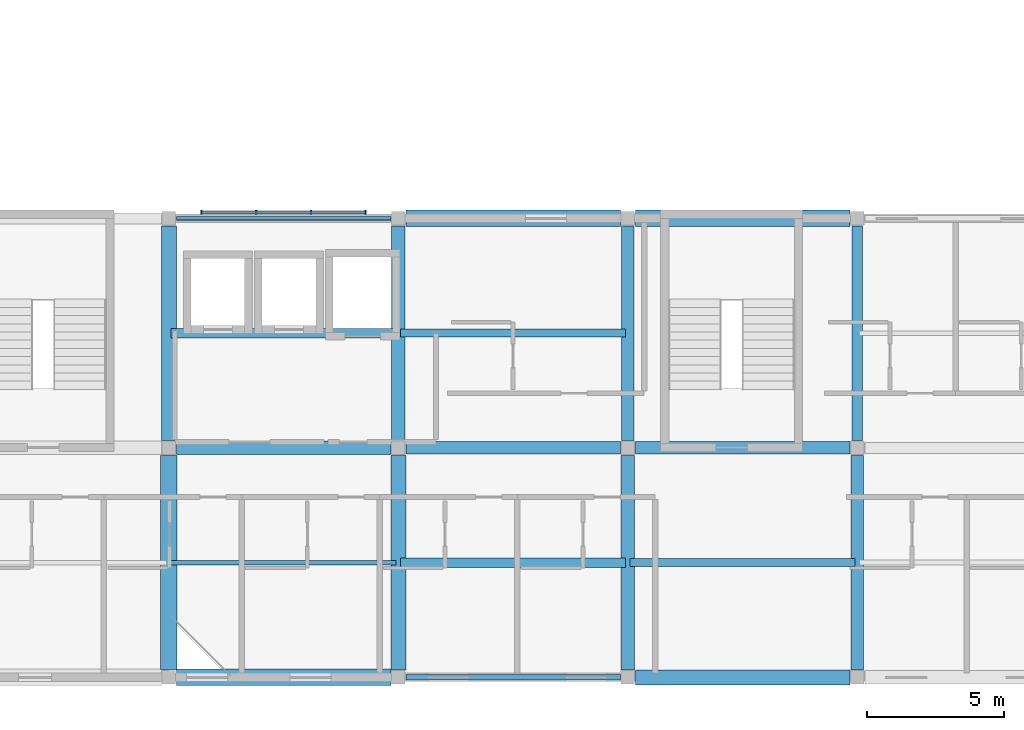
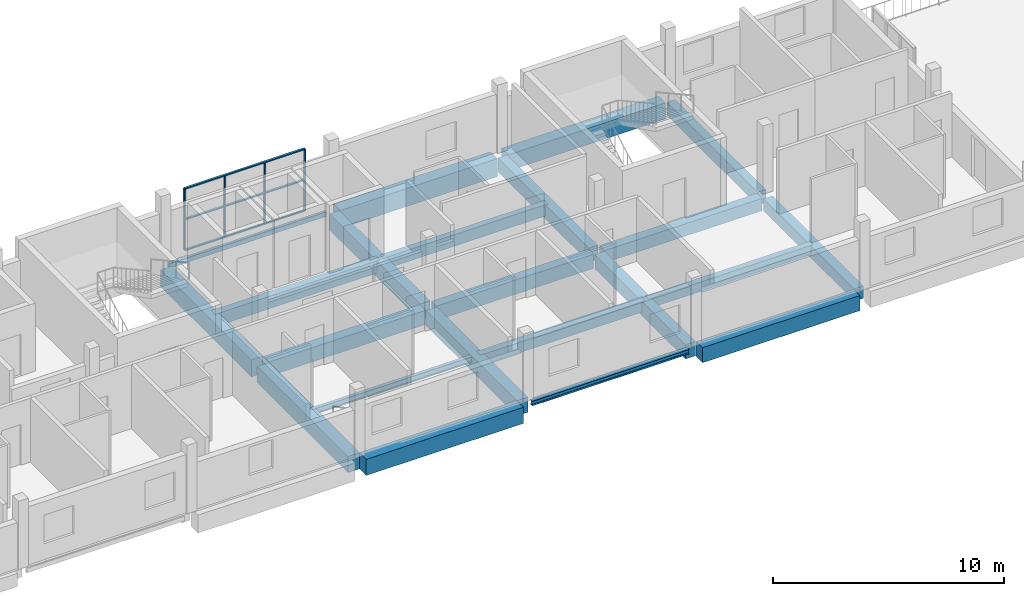
# One storey, part 5 of 20: 22 beams, 7 members, 1 element without a shape of its own.
"""IFC4 building model written with IfcOpenShell, lengths in metres."""

from ifc_helpers import new_model, si_unit, derived_unit, direction, frame, origin, origin_2d, place, context, subcontext, project, spatial, rectangle, hollow_rectangle, i_section, extrude, material, material_profile, profile_set, type_object, element, aggregate, save


model = new_model("IFC4")

# Units and contexts
model_context = context("Model", 3, precision=1e-05, world=origin(), true_north=direction((0.0, 1.0)))
body_context = subcontext(model_context, "Body", "Model", "MODEL_VIEW")
ifc_project = project(units=[si_unit("LENGTHUNIT", "METRE"), si_unit("AREAUNIT", "SQUARE_METRE"), si_unit("VOLUMEUNIT", "CUBIC_METRE"), si_unit("PLANEANGLEUNIT", "RADIAN"), si_unit("MASSUNIT", "GRAM", prefix="KILO"), derived_unit("THERMALTRANSMITTANCEUNIT", [(si_unit("POWERUNIT", "WATT"), 1), (si_unit("LENGTHUNIT", "METRE"), -2), (si_unit("THERMODYNAMICTEMPERATUREUNIT", "KELVIN"), -1)])], contexts=[model_context])

# Site, building, storey
site_placement = place(None, origin())
site = spatial("IfcSite", under=ifc_project, at=site_placement, CompositionType="ELEMENT")
building_placement = place(site_placement, origin())
building = spatial("IfcBuilding", under=site, at=building_placement, Name="Barrovel Congress Hotel", CompositionType="ELEMENT")
storey_placement = place(building_placement, frame((0.0, 0.0, 39.89990234375)))
storey = spatial("IfcBuildingStorey", under=building, at=storey_placement, Name="L10", CompositionType="ELEMENT", Elevation=39.89990234375)

# Beams
ifc_material_1 = material(Name="Concrete C40", Category="concrete")
ifc_material_profile_1 = material_profile(ifc_material_1, rectangle(XDim=0.300048828125, YDim=0.5, at=origin_2d()), Name="RC300x500")
ifc_profile_set_1 = profile_set([ifc_material_profile_1], Name="Concrete C40")
beam_type_1 = type_object("IfcBeamType", Name="BM-RC300x500", PredefinedType="JOIST", material=ifc_profile_set_1)
beam_1_placement = place(storey_placement, frame((100.8798828125, 8.39990234375, -0.469970703125), z_axis=(1.0, 0.0, 0.0), x_axis=(0.0, 1.0, 0.0)))
element("IfcBeam", 1, at=beam_1_placement, inside=storey, type_object=beam_type_1, Name="JST:L10:100.8:8.4", PredefinedType="JOIST", context=body_context, shape_type="SweptSolid", body=[
    extrude(rectangle(XDim=0.300048828125, YDim=0.5, at=origin_2d()), origin(), (0.0, 0.0, 1.0), 8.240234375),
])
ifc_material_profile_2 = material_profile(ifc_material_1, rectangle(XDim=0.300048828125, YDim=0.60009765625, at=origin_2d()), Name="RC300x600")
ifc_profile_set_2 = profile_set([ifc_material_profile_2], Name="Concrete C40")
beam_type_2 = type_object("IfcBeamType", Name="BM-RC300x600", PredefinedType="JOIST", material=ifc_profile_set_2)
beam_2_placement = place(storey_placement, frame((92.47998046875, 16.800048828125, -0.52001953125), z_axis=(1.0, 0.0, 0.0), x_axis=(0.0, 1.0, 0.0)))
element("IfcBeam", 2, at=beam_2_placement, inside=storey, type_object=beam_type_2, Name="JST:L10:92.4:16.8", PredefinedType="JOIST", context=body_context, shape_type="SweptSolid", body=[
    extrude(rectangle(XDim=0.300048828125, YDim=0.60009765625, at=origin_2d()), origin(), (0.0, 0.0, 1.0), 8.239990234375),
])
ifc_material_profile_3 = material_profile(ifc_material_1, rectangle(XDim=0.35009765625, YDim=0.550048828125, at=origin_2d()), Name="RC350x550")
ifc_profile_set_3 = profile_set([ifc_material_profile_3], Name="Concrete C40")
beam_type_3 = type_object("IfcBeamType", Name="BM-RC350x550", PredefinedType="JOIST", material=ifc_profile_set_3)
beam_3_placement = place(storey_placement, frame((92.47998046875, 8.39990234375, -0.494873046875), z_axis=(1.0, 0.0, 0.0), x_axis=(0.0, 1.0, 0.0)))
element("IfcBeam", 3, at=beam_3_placement, inside=storey, type_object=beam_type_3, Name="JST:L10:92.4:8.4", PredefinedType="JOIST", context=body_context, shape_type="SweptSolid", body=[
    extrude(rectangle(XDim=0.35009765625, YDim=0.550048828125, at=origin_2d()), origin(), (0.0, 0.0, 1.0), 8.239990234375),
])
ifc_material_profile_4 = material_profile(ifc_material_1, rectangle(XDim=0.35009765625, YDim=0.64990234375, at=origin_2d()), Name="RC350x650")
ifc_profile_set_4 = profile_set([ifc_material_profile_4], Name="Concrete C40")
beam_type_4 = type_object("IfcBeamType", Name="BM-RC350x650", PredefinedType="JOIST", material=ifc_profile_set_4)
beam_4_placement = place(storey_placement, frame((84.080078125, 16.800048828125, -0.544921875), z_axis=(1.0, 0.0, 0.0), x_axis=(0.0, 1.0, 0.0)))
element("IfcBeam", 4, at=beam_4_placement, inside=storey, type_object=beam_type_4, Name="JST:L10:84.0:16.8", PredefinedType="JOIST", context=body_context, shape_type="SweptSolid", body=[
    extrude(rectangle(XDim=0.35009765625, YDim=0.64990234375, at=origin_2d()), origin(), (0.0, 0.0, 1.0), 8.239990234375),
])
ifc_material_profile_5 = material_profile(ifc_material_1, rectangle(XDim=0.39990234375, YDim=0.699951171875, at=origin_2d()), Name="RC400x700")
ifc_profile_set_5 = profile_set([ifc_material_profile_5], Name="Concrete C40")
beam_type_5 = type_object("IfcBeamType", Name="BM-RC400x700", PredefinedType="BEAM", material=ifc_profile_set_5)
beam_5_placement = place(storey_placement, frame((109.199951171875, 12.875, -0.56982421875), z_axis=(0.0, 1.0, 0.0), x_axis=(-1.0, 0.0, 0.0)))
element("IfcBeam", 5, at=beam_5_placement, inside=storey, type_object=beam_type_5, Name="BMY:L10:109.2:12.6-21.0", PredefinedType="BEAM", context=body_context, shape_type="SweptSolid", body=[
    extrude(rectangle(XDim=0.39990234375, YDim=0.699951171875, at=origin_2d()), origin(), (0.0, 0.0, 1.0), 7.85009765625),
])
ifc_material_profile_6 = material_profile(ifc_material_1, rectangle(XDim=0.449951171875, YDim=0.64990234375, at=origin_2d()), Name="RC450x650")
ifc_profile_set_6 = profile_set([ifc_material_profile_6], Name="Concrete C40")
beam_type_6 = type_object("IfcBeamType", Name="BM-RC450x650", PredefinedType="BEAM", material=ifc_profile_set_6)
beam_6_placement = place(storey_placement, frame((101.074951171875, 12.60009765625, -0.544921875), z_axis=(1.0, 0.0, 0.0), x_axis=(0.0, 1.0, 0.0)))
element("IfcBeam", 6, at=beam_6_placement, inside=storey, type_object=beam_type_6, Name="BMX:L10:12.6:100.8-109.2", PredefinedType="BEAM", context=body_context, shape_type="SweptSolid", body=[
    extrude(rectangle(XDim=0.449951171875, YDim=0.64990234375, at=origin_2d()), origin(), (0.0, 0.0, 1.0), 7.85009765625),
])
beam_7_placement = place(storey_placement, frame((109.199951171875, 4.47509765625, -0.544921875), z_axis=(0.0, 1.0, 0.0), x_axis=(-1.0, 0.0, 0.0)))
element("IfcBeam", 7, at=beam_7_placement, inside=storey, type_object=beam_type_6, Name="BMY:L10:109.2:4.2-12.6", PredefinedType="BEAM", context=body_context, shape_type="SweptSolid", body=[
    extrude(rectangle(XDim=0.449951171875, YDim=0.64990234375, at=origin_2d()), origin(), (0.0, 0.0, 1.0), 7.849853515625),
])
ifc_material_profile_7 = material_profile(ifc_material_1, rectangle(XDim=0.449951171875, YDim=0.75, at=origin_2d()), Name="RC450x750")
ifc_profile_set_7 = profile_set([ifc_material_profile_7], Name="Concrete C40")
beam_type_7 = type_object("IfcBeamType", Name="BM-RC450x750", PredefinedType="BEAM", material=ifc_profile_set_7)
beam_8_placement = place(storey_placement, frame((92.675048828125, 12.60009765625, -0.594970703125), z_axis=(1.0, 0.0, 0.0), x_axis=(0.0, 1.0, 0.0)))
element("IfcBeam", 8, at=beam_8_placement, inside=storey, type_object=beam_type_7, Name="BMX:L10:12.6:92.4-100.8", PredefinedType="BEAM", context=body_context, shape_type="SweptSolid", body=[
    extrude(rectangle(XDim=0.449951171875, YDim=0.75, at=origin_2d()), origin(), (0.0, 0.0, 1.0), 7.849853515625),
])
beam_9_placement = place(storey_placement, frame((100.800048828125, 12.875, -0.594970703125), z_axis=(0.0, 1.0, 0.0), x_axis=(-1.0, 0.0, 0.0)))
element("IfcBeam", 9, at=beam_9_placement, inside=storey, type_object=beam_type_7, Name="BMY:L10:100.8:12.6-21.0", PredefinedType="BEAM", context=body_context, shape_type="SweptSolid", body=[
    extrude(rectangle(XDim=0.449951171875, YDim=0.75, at=origin_2d()), origin(), (0.0, 0.0, 1.0), 7.85009765625),
])
ifc_material_profile_8 = material_profile(ifc_material_1, rectangle(XDim=0.5, YDim=0.75, at=origin_2d()), Name="RC500x750")
ifc_profile_set_8 = profile_set([ifc_material_profile_8], Name="Concrete C40")
beam_type_8 = type_object("IfcBeamType", Name="BM-RC500x750", PredefinedType="BEAM", material=ifc_profile_set_8)
beam_10_placement = place(storey_placement, frame((84.27490234375, 12.60009765625, -0.594970703125), z_axis=(1.0, 0.0, 0.0), x_axis=(0.0, 1.0, 0.0)))
element("IfcBeam", 10, at=beam_10_placement, inside=storey, type_object=beam_type_8, Name="BMX:L10:12.6:84.0-92.4", PredefinedType="BEAM", context=body_context, shape_type="SweptSolid", body=[
    extrude(rectangle(XDim=0.5, YDim=0.75, at=origin_2d()), origin(), (0.0, 0.0, 1.0), 7.85009765625),
])
beam_11_placement = place(storey_placement, frame((100.800048828125, 4.47509765625, -0.594970703125), z_axis=(0.0, 1.0, 0.0), x_axis=(-1.0, 0.0, 0.0)))
element("IfcBeam", 11, at=beam_11_placement, inside=storey, type_object=beam_type_8, Name="BMY:L10:100.8:4.2-12.6", PredefinedType="BEAM", context=body_context, shape_type="SweptSolid", body=[
    extrude(rectangle(XDim=0.5, YDim=0.75, at=origin_2d()), origin(), (0.0, 0.0, 1.0), 7.849853515625),
])
ifc_material_profile_9 = material_profile(ifc_material_1, rectangle(XDim=0.5, YDim=0.85009765625, at=origin_2d()), Name="RC500x850")
ifc_profile_set_9 = profile_set([ifc_material_profile_9], Name="Concrete C40")
beam_type_9 = type_object("IfcBeamType", Name="BM-RC500x850", PredefinedType="BEAM", material=ifc_profile_set_9)
beam_12_placement = place(storey_placement, frame((92.39990234375, 12.875, -0.64501953125), z_axis=(0.0, 1.0, 0.0), x_axis=(-1.0, 0.0, 0.0)))
element("IfcBeam", 12, at=beam_12_placement, inside=storey, type_object=beam_type_9, Name="BMY:L10:92.4:12.6-21.0", PredefinedType="BEAM", context=body_context, shape_type="SweptSolid", body=[
    extrude(rectangle(XDim=0.5, YDim=0.85009765625, at=origin_2d()), origin(), (0.0, 0.0, 1.0), 7.85009765625),
])
ifc_material_profile_10 = material_profile(ifc_material_1, rectangle(XDim=0.550048828125, YDim=0.800048828125, at=origin_2d()), Name="RC550x800")
ifc_profile_set_10 = profile_set([ifc_material_profile_10], Name="Concrete C40")
beam_type_10 = type_object("IfcBeamType", Name="BM-RC550x800", PredefinedType="BEAM", material=ifc_profile_set_10)
beam_13_placement = place(storey_placement, frame((101.074951171875, 4.199951171875, -0.619873046875), z_axis=(1.0, 0.0, 0.0), x_axis=(0.0, 1.0, 0.0)))
element("IfcBeam", 13, at=beam_13_placement, inside=storey, type_object=beam_type_10, Name="BMX:L10:4.2:100.8-109.2", PredefinedType="BEAM", context=body_context, shape_type="SweptSolid", body=[
    extrude(rectangle(XDim=0.550048828125, YDim=0.800048828125, at=origin_2d()), origin(), (0.0, 0.0, 1.0), 7.85009765625),
])
beam_14_placement = place(storey_placement, frame((92.39990234375, 4.47509765625, -0.619873046875), z_axis=(0.0, 1.0, 0.0), x_axis=(-1.0, 0.0, 0.0)))
element("IfcBeam", 14, at=beam_14_placement, inside=storey, type_object=beam_type_10, Name="BMY:L10:92.4:4.2-12.6", PredefinedType="BEAM", context=body_context, shape_type="SweptSolid", body=[
    extrude(rectangle(XDim=0.550048828125, YDim=0.800048828125, at=origin_2d()), origin(), (0.0, 0.0, 1.0), 7.849853515625),
])
ifc_material_profile_11 = material_profile(ifc_material_1, rectangle(XDim=0.550048828125, YDim=0.89990234375, at=origin_2d()), Name="RC550x900")
ifc_profile_set_11 = profile_set([ifc_material_profile_11], Name="Concrete C40")
beam_type_11 = type_object("IfcBeamType", Name="BM-RC550x900", PredefinedType="BEAM", material=ifc_profile_set_11)
beam_15_placement = place(storey_placement, frame((84.0, 12.875, -0.669921875), z_axis=(0.0, 1.0, 0.0), x_axis=(-1.0, 0.0, 0.0)))
element("IfcBeam", 15, at=beam_15_placement, inside=storey, type_object=beam_type_11, Name="BMY:L10:84.0:12.6-21.0", PredefinedType="BEAM", context=body_context, shape_type="SweptSolid", body=[
    extrude(rectangle(XDim=0.550048828125, YDim=0.89990234375, at=origin_2d()), origin(), (0.0, 0.0, 1.0), 7.85009765625),
])
ifc_material_profile_12 = material_profile(ifc_material_1, rectangle(XDim=0.60009765625, YDim=0.85009765625, at=origin_2d()), Name="RC600x850")
ifc_profile_set_12 = profile_set([ifc_material_profile_12], Name="Concrete C40")
beam_type_12 = type_object("IfcBeamType", Name="BM-RC600x850", PredefinedType="BEAM", material=ifc_profile_set_12)
for number, where, z_axis, x_axis, name in (
    (16, (84.27490234375, 4.199951171875, -0.64501953125), (1.0, 0.0, 0.0), (0.0, 1.0, 0.0), "BMX:L10:4.2:84.0-92.4"),
    (17, (101.074951171875, 21.0, -0.64501953125), (1.0, 0.0, 0.0), (0.0, 1.0, 0.0), "BMX:L10:21.0:100.8-109.2"),
):
    element("IfcBeam", number, at=place(storey_placement, frame(where, z_axis=z_axis, x_axis=x_axis)), inside=storey, type_object=beam_type_12, Name=name, PredefinedType="BEAM", context=body_context, shape_type="SweptSolid", body=[
        extrude(rectangle(XDim=0.60009765625, YDim=0.85009765625, at=origin_2d()), origin(), (0.0, 0.0, 1.0), 7.85009765625),
    ])
beam_16_placement = place(storey_placement, frame((84.0, 4.47509765625, -0.64501953125), z_axis=(0.0, 1.0, 0.0), x_axis=(-1.0, 0.0, 0.0)))
element("IfcBeam", 18, at=beam_16_placement, inside=storey, type_object=beam_type_12, Name="BMY:L10:84.0:4.2-12.6", PredefinedType="BEAM", context=body_context, shape_type="SweptSolid", body=[
    extrude(rectangle(XDim=0.60009765625, YDim=0.85009765625, at=origin_2d()), origin(), (0.0, 0.0, 1.0), 7.849853515625),
])
ifc_material_profile_13 = material_profile(ifc_material_1, rectangle(XDim=0.60009765625, YDim=0.949951171875, at=origin_2d()), Name="RC600x950")
ifc_profile_set_13 = profile_set([ifc_material_profile_13], Name="Concrete C40")
beam_type_13 = type_object("IfcBeamType", Name="BM-RC600x950", PredefinedType="BEAM", material=ifc_profile_set_13)
beam_17_placement = place(storey_placement, frame((92.675048828125, 21.0, -0.69482421875), z_axis=(1.0, 0.0, 0.0), x_axis=(0.0, 1.0, 0.0)))
element("IfcBeam", 19, at=beam_17_placement, inside=storey, type_object=beam_type_13, Name="BMX:L10:21.0:92.4-100.8", PredefinedType="BEAM", context=body_context, shape_type="SweptSolid", body=[
    extrude(rectangle(XDim=0.60009765625, YDim=0.949951171875, at=origin_2d()), origin(), (0.0, 0.0, 1.0), 7.849853515625),
])

# Curtain wall, members
ifc_material_2 = material(Name="Anodised Aluminium Alloy 6063-T6", Category="aluminium")
curtain_wall_type = type_object("IfcCurtainWallType", Name="CW-UN-6000x3200", PredefinedType="USERDEFINED", material=ifc_material_2)
curtain_wall_placement = place(storey_placement, origin())
curtain_wall = element("IfcCurtainWall", 20, at=curtain_wall_placement, inside=storey, type_object=curtain_wall_type, Name="CW:L10:UN-4", ObjectType="UNITISED CURTAIN WALL", PredefinedType="USERDEFINED")
ifc_material_profile_14 = material_profile(ifc_material_2, rectangle(XDim=0.06005859375, YDim=0.139892578125, at=origin_2d()), Name="AL-M60x140")
ifc_profile_set_14 = profile_set([ifc_material_profile_14], Name="Anodised Aluminium Alloy 6063-T6")
member_type_1 = type_object("IfcMemberType", Name="CWM-AL-M60x140", PredefinedType="MULLION", material=ifc_profile_set_14)
member_1_placement = place(storey_placement, frame((85.199951171875, 21.219970703125, 0.0), z_axis=(0.0, 0.0, 1.0), x_axis=(1.0, 0.0, 0.0)))
member_1 = element("IfcMember", 21, at=member_1_placement, type_object=member_type_1, Name="CW:L10:UN-4:M0", PredefinedType="MULLION", context=body_context, shape_type="SweptSolid", body=[
    extrude(rectangle(XDim=0.06005859375, YDim=0.139892578125, at=origin_2d()), origin(), (0.0, 0.0, 1.0), 3.25),
])
member_2_placement = place(storey_placement, frame((87.199951171875, 21.219970703125, 0.0), z_axis=(0.0, 0.0, 1.0), x_axis=(1.0, 0.0, 0.0)))
member_2 = element("IfcMember", 22, at=member_2_placement, type_object=member_type_1, Name="CW:L10:UN-4:M1", PredefinedType="MULLION", context=body_context, shape_type="SweptSolid", body=[
    extrude(rectangle(XDim=0.06005859375, YDim=0.139892578125, at=origin_2d()), origin(), (0.0, 0.0, 1.0), 3.25),
])
member_3_placement = place(storey_placement, frame((89.199951171875, 21.219970703125, 0.0), z_axis=(0.0, 0.0, 1.0), x_axis=(1.0, 0.0, 0.0)))
member_3 = element("IfcMember", 23, at=member_3_placement, type_object=member_type_1, Name="CW:L10:UN-4:M2", PredefinedType="MULLION", context=body_context, shape_type="SweptSolid", body=[
    extrude(rectangle(XDim=0.06005859375, YDim=0.139892578125, at=origin_2d()), origin(), (0.0, 0.0, 1.0), 3.25),
])
member_4_placement = place(storey_placement, frame((91.199951171875, 21.219970703125, 0.0), z_axis=(0.0, 0.0, 1.0), x_axis=(1.0, 0.0, 0.0)))
member_4 = element("IfcMember", 24, at=member_4_placement, type_object=member_type_1, Name="CW:L10:UN-4:M3", PredefinedType="MULLION", context=body_context, shape_type="SweptSolid", body=[
    extrude(rectangle(XDim=0.06005859375, YDim=0.139892578125, at=origin_2d()), origin(), (0.0, 0.0, 1.0), 3.25),
])
ifc_material_profile_15 = material_profile(ifc_material_2, rectangle(XDim=0.10498046875, YDim=0.06005859375, at=origin_2d()), Name="AL-T60x105")
ifc_profile_set_15 = profile_set([ifc_material_profile_15], Name="Anodised Aluminium Alloy 6063-T6")
member_type_2 = type_object("IfcMemberType", Name="CWT-AL-T60x105", PredefinedType="USERDEFINED", material=ifc_profile_set_15)
member_5_placement = place(storey_placement, frame((85.199951171875, 21.219970703125, 0.0), z_axis=(1.0, 0.0, 0.0), x_axis=(0.0, 1.0, 0.0)))
member_5 = element("IfcMember", 25, at=member_5_placement, type_object=member_type_2, Name="CW:L10:UN-4:T0", ObjectType="TRANSOM", PredefinedType="USERDEFINED", context=body_context, shape_type="SweptSolid", body=[
    extrude(rectangle(XDim=0.10498046875, YDim=0.06005859375, at=origin_2d()), origin(), (0.0, 0.0, 1.0), 6.0),
])
member_6_placement = place(storey_placement, frame((85.199951171875, 21.219970703125, 1.625), z_axis=(1.0, 0.0, 0.0), x_axis=(0.0, 1.0, 0.0)))
member_6 = element("IfcMember", 26, at=member_6_placement, type_object=member_type_2, Name="CW:L10:UN-4:T1", ObjectType="TRANSOM", PredefinedType="USERDEFINED", context=body_context, shape_type="SweptSolid", body=[
    extrude(rectangle(XDim=0.10498046875, YDim=0.06005859375, at=origin_2d()), origin(), (0.0, 0.0, 1.0), 6.0),
])
member_7_placement = place(storey_placement, frame((85.199951171875, 21.219970703125, 3.25), z_axis=(1.0, 0.0, 0.0), x_axis=(0.0, 1.0, 0.0)))
member_7 = element("IfcMember", 27, at=member_7_placement, type_object=member_type_2, Name="CW:L10:UN-4:T2", ObjectType="TRANSOM", PredefinedType="USERDEFINED", context=body_context, shape_type="SweptSolid", body=[
    extrude(rectangle(XDim=0.10498046875, YDim=0.06005859375, at=origin_2d()), origin(), (0.0, 0.0, 1.0), 6.0),
])
aggregate(curtain_wall, [member_1, member_2, member_3, member_4, member_5, member_6, member_7])

# Beams
ifc_material_3 = material(Name="Steel ASTM A500 Grade C", Category="steel")
ifc_material_profile_16 = material_profile(ifc_material_3, hollow_rectangle(XDim=0.15234375, YDim=0.25390625, WallThickness=0.0087890625, InnerFilletRadius=0.0087890625, OuterFilletRadius=0.017578125, at=origin_2d()), Name="HSS254x152x9.5")
ifc_profile_set_16 = profile_set([ifc_material_profile_16], Name="Steel ASTM A500 Grade C")
beam_type_14 = type_object("IfcBeamType", Name="SBM-HSS254x152x9.5", PredefinedType="SPANDREL", material=ifc_profile_set_16)
beam_18_placement = place(storey_placement, frame((84.27490234375, 21.0, -0.346923828125), z_axis=(1.0, 0.0, 0.0), x_axis=(0.0, 1.0, 0.0)))
element("IfcBeam", 28, at=beam_18_placement, inside=storey, type_object=beam_type_14, Name="BMX:L10:21.0:84.0-92.4", PredefinedType="SPANDREL", context=body_context, shape_type="SweptSolid", body=[
    extrude(hollow_rectangle(XDim=0.15234375, YDim=0.25390625, WallThickness=0.0087890625, InnerFilletRadius=0.0087890625, OuterFilletRadius=0.017578125, at=origin_2d()), origin(), (0.0, 0.0, 1.0), 7.85009765625),
])
ifc_material_4 = material(Name="Steel ASTM A992 Grade 50", Category="steel")
ifc_material_profile_17 = material_profile(ifc_material_4, i_section(OverallWidth=0.201904296875, OverallDepth=0.2470703125, WebThickness=0.00732421875, FlangeThickness=0.010986328125, FilletRadius=0.011962890625, at=origin_2d()), Name="W250x49")
ifc_profile_set_17 = profile_set([ifc_material_profile_17], Name="Steel ASTM A992 Grade 50")
beam_type_15 = type_object("IfcBeamType", Name="SBM-W250x49", PredefinedType="SPANDREL", material=ifc_profile_set_17)
beam_19_placement = place(storey_placement, frame((92.675048828125, 4.199951171875, -0.343505859375), z_axis=(1.0, 0.0, 0.0), x_axis=(0.0, 1.0, 0.0)))
element("IfcBeam", 29, at=beam_19_placement, inside=storey, type_object=beam_type_15, Name="BMX:L10:4.2:92.4-100.8", PredefinedType="SPANDREL", context=body_context, shape_type="SweptSolid", body=[
    extrude(i_section(OverallWidth=0.201904296875, OverallDepth=0.2470703125, WebThickness=0.00732421875, FlangeThickness=0.010986328125, FilletRadius=0.011962890625, at=origin_2d()), origin(), (0.0, 0.0, 1.0), 7.849853515625),
])
ifc_material_profile_18 = material_profile(ifc_material_4, i_section(OverallWidth=0.1650390625, OverallDepth=0.31005859375, WebThickness=0.005859375, FlangeThickness=0.009765625, FilletRadius=0.010986328125, at=origin_2d()), Name="W310x39")
ifc_profile_set_18 = profile_set([ifc_material_profile_18], Name="Steel ASTM A992 Grade 50")
beam_type_16 = type_object("IfcBeamType", Name="SBM-W310x39", PredefinedType="JOIST", material=ifc_profile_set_18)
beam_20_placement = place(storey_placement, frame((84.080078125, 8.39990234375, -0.375), z_axis=(1.0, 0.0, 0.0), x_axis=(0.0, 1.0, 0.0)))
element("IfcBeam", 30, at=beam_20_placement, inside=storey, type_object=beam_type_16, Name="JST:L10:84.0:8.4", PredefinedType="JOIST", context=body_context, shape_type="SweptSolid", body=[
    extrude(i_section(OverallWidth=0.1650390625, OverallDepth=0.31005859375, WebThickness=0.005859375, FlangeThickness=0.009765625, FilletRadius=0.010986328125, at=origin_2d()), origin(), (0.0, 0.0, 1.0), 8.239990234375),
])

save(model, "model.ifc")
